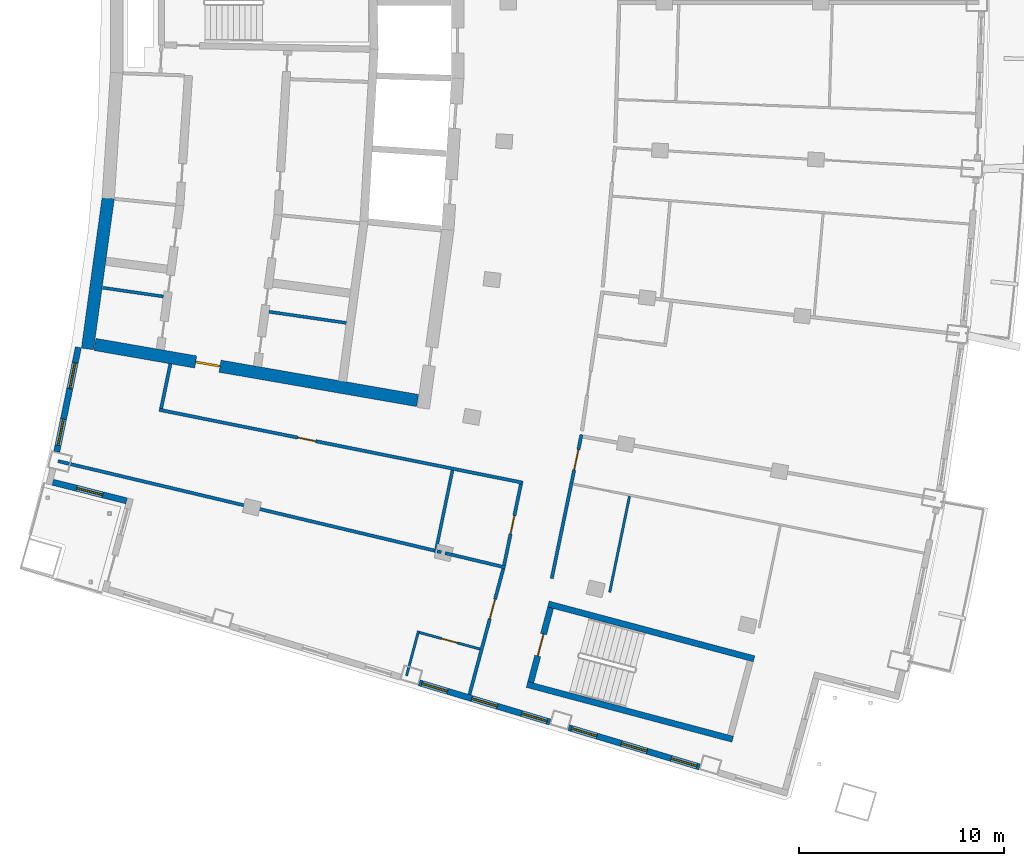
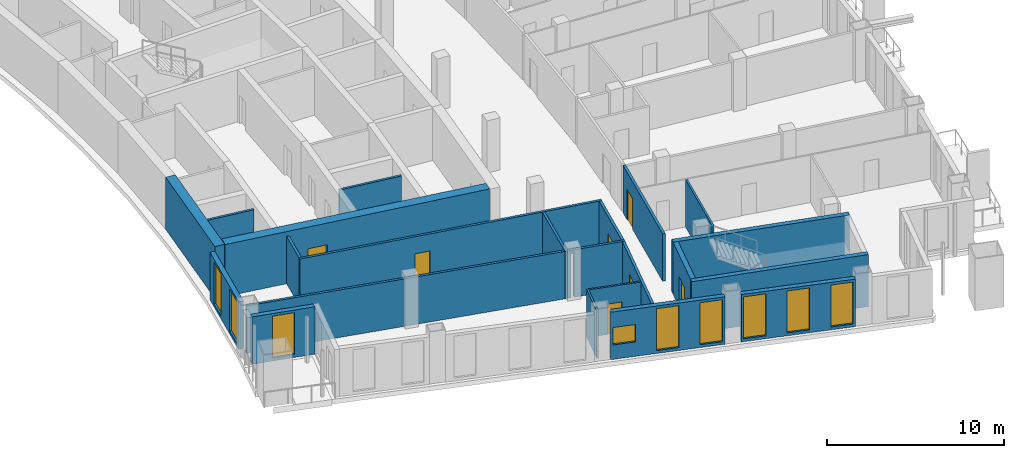
# One storey, part 9 of 19: 23 walls, 9 windows, 7 doors, 16 openings.
"""IFC4 building model written with IfcOpenShell, lengths in metres."""

from ifc_helpers import new_model, si_unit, direction, frame, frame_2d, origin, place, context, subcontext, project, spatial, rectangle, extrude, material, layer, layer_set, type_object, element, fill, save


model = new_model("IFC4")

# Units and contexts
model_context = context("Model", 3, precision=1e-05, world=origin(), true_north=direction((0.0, 1.0)))
body_context = subcontext(model_context, "Body", "Model", "MODEL_VIEW")
ifc_project = project(units=[si_unit("LENGTHUNIT", "METRE"), si_unit("AREAUNIT", "SQUARE_METRE"), si_unit("VOLUMEUNIT", "CUBIC_METRE"), si_unit("PLANEANGLEUNIT", "RADIAN"), si_unit("MASSUNIT", "GRAM", prefix="KILO")], contexts=[model_context])

# Site, building, storey
site_placement = place(None, origin())
site = spatial("IfcSite", under=ifc_project, at=site_placement, CompositionType="ELEMENT")
building_placement = place(site_placement, origin())
building = spatial("IfcBuilding", under=site, at=building_placement, Name="Alderwake Tower", CompositionType="ELEMENT")
storey_placement = place(building_placement, frame((0.0, 0.0, 192.800048828125)))
storey = spatial("IfcBuildingStorey", under=building, at=storey_placement, Name="L47", CompositionType="ELEMENT", Elevation=192.800048828125)

# Walls
ifc_material_1 = material(Name="Gypsum shaft wall system, rated")
ifc_layer_1 = layer(ifc_material_1, 0.14990234375)
ifc_layer_set_1 = layer_set([ifc_layer_1], Name="Core room partition 150")
wall_type_1 = type_object("IfcWallType", Name="Core room partition 150", PredefinedType="PARTITIONING", material=ifc_layer_set_1)
wall_1_placement = place(storey_placement, frame((16.064453125, 47.125, 0.0), z_axis=(0.0, 0.0, 1.0), x_axis=(0.989723849993, -0.142991960454, 0.0)))
element("IfcWall", 1, at=wall_1_placement, inside=storey, type_object=wall_type_1, Name="CW/L47/PR-150_+0", PredefinedType="PARTITIONING", context=body_context, shape_type="SweptSolid", body=[
    extrude(rectangle(XDim=2.98095703125, YDim=0.14990234375, at=frame_2d((1.490478515625, 0.0))), origin(), (0.0, 0.0, 1.0), 3.280029296875),
])
wall_2_placement = place(storey_placement, frame((24.158203125, 45.9560546875, 0.0), z_axis=(0.0, 0.0, 1.0), x_axis=(0.989724412664, -0.142988065858, 0.0)))
element("IfcWall", 2, at=wall_2_placement, inside=storey, type_object=wall_type_1, Name="CW/L47/PR-150_+86", PredefinedType="PARTITIONING", context=body_context, shape_type="SweptSolid", body=[
    extrude(rectangle(XDim=3.795654296875, YDim=0.14990234375, at=frame_2d((1.89794921875, 0.0))), origin(), (0.0, 0.0, 1.0), 3.280029296875),
])
ifc_material_2 = material(Name="Concrete C70/85", Category="concrete")
ifc_layer_2 = layer(ifc_material_2, 0.60009765625)
ifc_layer_set_2 = layer_set([ifc_layer_2], Name="Core wall outer 600 C70-85")
wall_type_2 = type_object("IfcWallType", Name="Core wall outer 600 C70-85", PredefinedType="SHEAR", material=ifc_layer_set_2)
wall_3_placement = place(storey_placement, frame((15.321533203125, 44.146240234375, 0.0), z_axis=(0.0, 0.0, 1.0), x_axis=(0.136316498814, 0.990665338119, 0.0)))
element("IfcWall", 3, at=wall_3_placement, inside=storey, type_object=wall_type_2, Name="Core wall CW.037", PredefinedType="SHEAR", context=body_context, shape_type="SweptSolid", body=[
    extrude(rectangle(XDim=7.41455078125, YDim=0.60009765625, at=frame_2d((3.707275390625, 0.0))), origin(), (0.0, 0.0, 1.0), 3.599853515625),
])

# Wall, opening, door
wall_4_placement = place(storey_placement, frame((31.386962890625, 41.63525390625, 0.0), z_axis=(0.0, 0.0, 1.0), x_axis=(-0.985223108003, 0.171275881127, 0.0)))
wall_4 = element("IfcWall", 4, at=wall_4_placement, inside=storey, type_object=wall_type_2, Name="Core wall CW.072", PredefinedType="SHEAR", context=body_context, shape_type="SweptSolid", body=[
    extrude(rectangle(XDim=15.937744140625, YDim=0.60009765625, at=frame_2d((7.96875, 0.0))), origin(), (0.0, 0.0, 1.0), 3.599853515625),
])
opening_1_placement = place(wall_4_placement, frame((9.757568359375, 0.0, 0.0)))
opening_1 = element("IfcOpeningElement", 5, at=opening_1_placement, cuts=wall_4, Name="Opening C003", PredefinedType="OPENING", context=body_context, shape_type="SweptSolid", body=[
    extrude(rectangle(XDim=1.199951171875, YDim=2.10009765625, at=frame_2d((0.60009765625, 1.050048828125))), frame((0.0, 0.31005859375, 0.0), z_axis=(0.0, -1.0, 0.0), x_axis=(1.0, 0.0, 0.0)), (0.0, 0.0, 1.0), 0.6201171875),
])
ifc_material_3 = material(Name="Steel-framed fire door leaf", Category="steel")
door_type_1 = type_object("IfcDoorType", Name="Core lobby exit door 1200 fire-rated", OperationType="SINGLE_SWING_LEFT", PredefinedType="DOOR", material=ifc_material_3)
door_1_placement = place(opening_1_placement, origin())
door_1 = element("IfcDoor", 6, at=door_1_placement, inside=storey, type_object=door_type_1, Name="Lobby door", OperationType="SINGLE_SWING_LEFT", OverallHeight=2.10009765625, OverallWidth=1.199951171875, PredefinedType="DOOR", context=body_context, shape_type="SweptSolid", body=[
    extrude(rectangle(XDim=1.199951171875, YDim=2.10009765625, at=frame_2d((0.60009765625, 1.050048828125))), frame((0.0, 0.050048828125, 0.0), z_axis=(0.0, -1.0, 0.0), x_axis=(1.0, 0.0, 0.0)), (0.0, 0.0, 1.0), 0.10009765625),
])
fill(opening_1, door_1)

# Walls
ifc_material_4 = material(Name="Concrete C70/85", Category="concrete")
ifc_layer_3 = layer(ifc_material_4, 0.300048828125)
ifc_layer_set_3 = layer_set([ifc_layer_3], Name="Core wall stair enclosure 300 C70-85")
wall_type_3 = type_object("IfcWallType", Name="Core wall stair enclosure 300 C70-85", PredefinedType="SHEAR", material=ifc_layer_set_3)
for number, where, z_axis, x_axis, name in (
    (7, (37.75390625, 31.731201171875, 0.0), (0.0, 0.0, 1.0), (0.966309214305, -0.257383958996, 0.0), "Core wall CW.086"),
    (8, (36.71142578125, 27.817626953125, 0.0), (0.0, 0.0, 1.0), (0.966309214305, -0.257383958996, 0.0), "Core wall CW.088"),
):
    element("IfcWall", number, at=place(storey_placement, frame(where, z_axis=z_axis, x_axis=x_axis)), inside=storey, type_object=wall_type_3, Name=name, PredefinedType="SHEAR", context=body_context, shape_type="SweptSolid", body=[
        extrude(rectangle(XDim=10.360107421875, YDim=0.300048828125, at=frame_2d((5.18017578125, 0.0))), origin(), (0.0, 0.0, 1.0), 3.599853515625),
    ])

# Wall, opening, door
wall_5_placement = place(storey_placement, frame((36.89501953125, 27.923828125, 0.0), z_axis=(0.0, 0.0, 1.0), x_axis=(0.257350630826, 0.966318090907, 0.0)))
wall_5 = element("IfcWall", 9, at=wall_5_placement, inside=storey, type_object=wall_type_3, Name="Core wall CW.087", PredefinedType="SHEAR", context=body_context, shape_type="SweptSolid", body=[
    extrude(rectangle(XDim=3.75, YDim=0.300048828125, at=frame_2d((1.875, 0.0))), origin(), (0.0, 0.0, 1.0), 3.599853515625),
])
opening_2_placement = place(wall_5_placement, frame((1.324951171875, 0.0, 0.0)))
opening_2 = element("IfcOpeningElement", 10, at=opening_2_placement, cuts=wall_5, Name="Opening C065", PredefinedType="OPENING", context=body_context, shape_type="SweptSolid", body=[
    extrude(rectangle(XDim=1.10009765625, YDim=2.10009765625, at=frame_2d((0.550048828125, 1.050048828125))), frame((0.0, 0.159912109375, 0.0), z_axis=(0.0, -1.0, 0.0), x_axis=(1.0, 0.0, 0.0)), (0.0, 0.0, 1.0), 0.320068359375),
])
ifc_material_5 = material(Name="Steel-framed fire door leaf", Category="steel")
door_type_2 = type_object("IfcDoorType", Name="Core stair door 1100 fire-rated", OperationType="SINGLE_SWING_LEFT", PredefinedType="DOOR", material=ifc_material_5)
door_2_placement = place(opening_2_placement, origin())
door_2 = element("IfcDoor", 11, at=door_2_placement, inside=storey, type_object=door_type_2, Name="Stair door", OperationType="SINGLE_SWING_RIGHT", OverallHeight=2.10009765625, OverallWidth=1.10009765625, PredefinedType="DOOR", context=body_context, shape_type="SweptSolid", body=[
    extrude(rectangle(XDim=1.10009765625, YDim=2.10009765625, at=frame_2d((0.550048828125, 1.050048828125))), frame((0.0, 0.02490234375, 0.0), z_axis=(0.0, -1.0, 0.0), x_axis=(1.0, 0.0, 0.0)), (0.0, 0.0, 1.0), 0.050048828125),
])
fill(opening_2, door_2)

# Wall
ifc_material_6 = material(Name="Gypsum board on metal studs, rated")
ifc_layer_4 = layer(ifc_material_6, 0.159912109375)
ifc_layer_set_4 = layer_set([ifc_layer_4], Name="Corridor wall 160")
wall_type_4 = type_object("IfcWallType", Name="Corridor wall 160", PredefinedType="PARTITIONING", material=ifc_layer_set_4)
wall_6_placement = place(storey_placement, frame((13.884033203125, 38.68798828125, 0.0), z_axis=(0.0, 0.0, 1.0), x_axis=(0.972897690171, -0.231235993004, 0.0)))
element("IfcWall", 12, at=wall_6_placement, inside=storey, type_object=wall_type_4, Name="WL/L47/W08", PredefinedType="PARTITIONING", context=body_context, shape_type="SweptSolid", body=[
    extrude(rectangle(XDim=18.8271484375, YDim=0.159912109375, at=frame_2d((9.41357421875, 0.0))), origin(), (0.0, 0.0, 1.0), 3.280029296875),
])

# Wall, opening, door
wall_7_placement = place(storey_placement, frame((36.513427734375, 37.63427734375, 0.0), z_axis=(0.0, 0.0, 1.0), x_axis=(-0.980470254867, 0.1966674333, 0.0)))
wall_7 = element("IfcWall", 13, at=wall_7_placement, inside=storey, type_object=wall_type_4, Name="WL/L47/W09", PredefinedType="PARTITIONING", context=body_context, shape_type="SweptSolid", body=[
    extrude(rectangle(XDim=18.053466796875, YDim=0.159912109375, at=frame_2d((9.02685546875, 0.0))), origin(), (0.0, 0.0, 1.0), 3.280029296875),
])
opening_3_placement = place(wall_7_placement, frame((10.277099609375, 0.0, 0.0)))
opening_3 = element("IfcOpeningElement", 14, at=opening_3_placement, cuts=wall_7, Name="Opening R13-SBS1", PredefinedType="OPENING", context=body_context, shape_type="SweptSolid", body=[
    extrude(rectangle(XDim=0.89990234375, YDim=2.10009765625, at=frame_2d((0.449951171875, 1.050048828125))), frame((0.0, 0.08984375, 0.0), z_axis=(0.0, -1.0, 0.0), x_axis=(1.0, 0.0, 0.0)), (0.0, 0.0, 1.0), 0.179931640625),
])
ifc_material_7 = material(Name="Painted timber leaf", Category="wood")
door_type_3 = type_object("IfcDoorType", Name="Room door 900", OperationType="SINGLE_SWING_LEFT", PredefinedType="DOOR", material=ifc_material_7)
door_3_placement = place(opening_3_placement, origin())
door_3 = element("IfcDoor", 15, at=door_3_placement, inside=storey, type_object=door_type_3, Name="DR/L47/SBS1", OperationType="SINGLE_SWING_LEFT", OverallHeight=2.10009765625, OverallWidth=0.89990234375, PredefinedType="DOOR", context=body_context, shape_type="SweptSolid", body=[
    extrude(rectangle(XDim=0.89990234375, YDim=2.10009765625, at=frame_2d((0.449951171875, 1.050048828125))), frame((0.0, 0.02490234375, 0.0), z_axis=(0.0, -1.0, 0.0), x_axis=(1.0, 0.0, 0.0)), (0.0, 0.0, 1.0), 0.050048828125),
])
fill(opening_3, door_3)

# Walls
wall_8_placement = place(storey_placement, frame((19.35888671875, 43.430908203125, 0.0), z_axis=(0.0, 0.0, 1.0), x_axis=(-0.202554916658, -0.979270905183, 0.0)))
element("IfcWall", 16, at=wall_8_placement, inside=storey, type_object=wall_type_4, Name="WL/L47/W10", PredefinedType="PARTITIONING", context=body_context, shape_type="SweptSolid", body=[
    extrude(rectangle(XDim=2.229736328125, YDim=0.159912109375, at=frame_2d((1.11474609375, 0.0))), origin(), (0.0, 0.0, 1.0), 3.280029296875),
])
wall_9_placement = place(storey_placement, frame((32.343994140625, 34.300048828125, 0.0), z_axis=(0.0, 0.0, 1.0), x_axis=(0.974391195695, -0.224859506699, 0.0)))
element("IfcWall", 17, at=wall_9_placement, inside=storey, type_object=wall_type_4, Name="WL/L47/W12", PredefinedType="PARTITIONING", context=body_context, shape_type="SweptSolid", body=[
    extrude(rectangle(XDim=0.205322265625, YDim=0.159912109375, at=frame_2d((0.1025390625, 0.0))), origin(), (0.0, 0.0, 1.0), 3.280029296875),
])
wall_10_placement = place(storey_placement, frame((32.725341796875, 34.210205078125, 0.0), z_axis=(0.0, 0.0, 1.0), x_axis=(0.972838360224, -0.231485474442, 0.0)))
element("IfcWall", 18, at=wall_10_placement, inside=storey, type_object=wall_type_4, Name="WL/L47/W13", PredefinedType="PARTITIONING", context=body_context, shape_type="SweptSolid", body=[
    extrude(rectangle(XDim=3.01416015625, YDim=0.159912109375, at=frame_2d((1.507080078125, 0.0))), origin(), (0.0, 0.0, 1.0), 3.280029296875),
])

# Wall, opening, door
wall_11_placement = place(storey_placement, frame((33.912109375, 27.321044921875, 0.0), z_axis=(0.0, 0.0, 1.0), x_axis=(0.259370874835, 0.965777794986, 0.0)))
wall_11 = element("IfcWall", 19, at=wall_11_placement, inside=storey, type_object=wall_type_4, Name="WL/L47/W15", PredefinedType="PARTITIONING", context=body_context, shape_type="SweptSolid", body=[
    extrude(rectangle(XDim=6.349853515625, YDim=0.159912109375, at=frame_2d((3.1748046875, 0.0))), origin(), (0.0, 0.0, 1.0), 3.280029296875),
])
opening_4_placement = place(wall_11_placement, frame((3.811279296875, 0.0, 0.0)))
opening_4 = element("IfcOpeningElement", 20, at=opening_4_placement, cuts=wall_11, Name="Opening R13-U08.1", PredefinedType="OPENING", context=body_context, shape_type="SweptSolid", body=[
    extrude(rectangle(XDim=1.0, YDim=2.10009765625, at=frame_2d((0.5, 1.050048828125))), frame((0.0, 0.08984375, 0.0), z_axis=(0.0, -1.0, 0.0), x_axis=(1.0, 0.0, 0.0)), (0.0, 0.0, 1.0), 0.179931640625),
])
ifc_material_8 = material(Name="Solid timber leaf in steel frame", Category="steel")
door_type_4 = type_object("IfcDoorType", Name="Flat entrance door 1000 fire-rated", OperationType="SINGLE_SWING_LEFT", PredefinedType="DOOR", material=ifc_material_8)
door_4_placement = place(opening_4_placement, origin())
door_4 = element("IfcDoor", 21, at=door_4_placement, inside=storey, type_object=door_type_4, Name="DR/L47/U08.1", OperationType="SINGLE_SWING_LEFT", OverallHeight=2.10009765625, OverallWidth=1.0, PredefinedType="DOOR", context=body_context, shape_type="SweptSolid", body=[
    extrude(rectangle(XDim=1.0, YDim=2.10009765625, at=frame_2d((0.5, 1.050048828125))), frame((0.0, 0.02490234375, 0.0), z_axis=(0.0, -1.0, 0.0), x_axis=(1.0, 0.0, 0.0)), (0.0, 0.0, 1.0), 0.050048828125),
])
fill(opening_4, door_4)

wall_12_placement = place(storey_placement, frame((35.59619140625, 33.609375, 0.0), z_axis=(0.0, 0.0, 1.0), x_axis=(0.203245920818, 0.979127721838, 0.0)))
wall_12 = element("IfcWall", 22, at=wall_12_placement, inside=storey, type_object=wall_type_4, Name="WL/L47/W18", PredefinedType="PARTITIONING", context=body_context, shape_type="SweptSolid", body=[
    extrude(rectangle(XDim=4.046875, YDim=0.159912109375, at=frame_2d((2.0234375, 0.0))), origin(), (0.0, 0.0, 1.0), 3.280029296875),
])
opening_5_placement = place(wall_12_placement, frame((1.573486328125, 0.0, 0.0)))
opening_5 = element("IfcOpeningElement", 23, at=opening_5_placement, cuts=wall_12, Name="Opening R13-SBS2", PredefinedType="OPENING", context=body_context, shape_type="SweptSolid", body=[
    extrude(rectangle(XDim=0.89990234375, YDim=2.10009765625, at=frame_2d((0.449951171875, 1.050048828125))), frame((0.0, 0.08984375, 0.0), z_axis=(0.0, -1.0, 0.0), x_axis=(1.0, 0.0, 0.0)), (0.0, 0.0, 1.0), 0.179931640625),
])
door_5_placement = place(opening_5_placement, origin())
door_5 = element("IfcDoor", 24, at=door_5_placement, inside=storey, type_object=door_type_3, Name="DR/L47/SBS2", OperationType="SINGLE_SWING_LEFT", OverallHeight=2.10009765625, OverallWidth=0.89990234375, PredefinedType="DOOR", context=body_context, shape_type="SweptSolid", body=[
    extrude(rectangle(XDim=0.89990234375, YDim=2.10009765625, at=frame_2d((0.449951171875, 1.050048828125))), frame((0.0, 0.02490234375, 0.0), z_axis=(0.0, -1.0, 0.0), x_axis=(1.0, 0.0, 0.0)), (0.0, 0.0, 1.0), 0.050048828125),
])
fill(opening_5, door_5)

wall_13_placement = place(storey_placement, frame((39.3642578125, 39.975341796875, 0.0), z_axis=(0.0, 0.0, 1.0), x_axis=(-0.202490391407, -0.979284249535, 0.0)))
wall_13 = element("IfcWall", 25, at=wall_13_placement, inside=storey, type_object=wall_type_4, Name="WL/L47/W20", PredefinedType="PARTITIONING", context=body_context, shape_type="SweptSolid", body=[
    extrude(rectangle(XDim=7.147216796875, YDim=0.159912109375, at=frame_2d((3.57373046875, 0.0))), origin(), (0.0, 0.0, 1.0), 3.280029296875),
])
opening_6_placement = place(wall_13_placement, frame((0.7568359375, 0.0, 0.0)))
opening_6 = element("IfcOpeningElement", 26, at=opening_6_placement, cuts=wall_13, Name="Opening R13-U03.2", PredefinedType="OPENING", context=body_context, shape_type="SweptSolid", body=[
    extrude(rectangle(XDim=1.0, YDim=2.10009765625, at=frame_2d((0.5, 1.050048828125))), frame((0.0, 0.08984375, 0.0), z_axis=(0.0, -1.0, 0.0), x_axis=(1.0, 0.0, 0.0)), (0.0, 0.0, 1.0), 0.179931640625),
])
door_6_placement = place(opening_6_placement, origin())
door_6 = element("IfcDoor", 27, at=door_6_placement, inside=storey, type_object=door_type_4, Name="DR/L47/U03.2", OperationType="SINGLE_SWING_LEFT", OverallHeight=2.10009765625, OverallWidth=1.0, PredefinedType="DOOR", context=body_context, shape_type="SweptSolid", body=[
    extrude(rectangle(XDim=1.0, YDim=2.10009765625, at=frame_2d((0.5, 1.050048828125))), frame((0.0, 0.02490234375, 0.0), z_axis=(0.0, -1.0, 0.0), x_axis=(1.0, 0.0, 0.0)), (0.0, 0.0, 1.0), 0.050048828125),
])
fill(opening_6, door_6)

# Wall, openings, windows
ifc_material_9 = material(Name="Precast concrete C50/60 spandrel panel", Category="concrete")
ifc_layer_5 = layer(ifc_material_9, 0.300048828125)
ifc_layer_set_5 = layer_set([ifc_layer_5], Name="External wall EW1 Precast concrete C50/60 spandrel")
wall_type_5 = type_object("IfcWallType", Name="External wall EW1 Precast concrete C50/60 spandrel", PredefinedType="SOLIDWALL", material=ifc_layer_set_5)
wall_14_placement = place(storey_placement, frame((14.878173828125, 44.223388671875, 0.0), z_axis=(0.0, 0.0, 1.0), x_axis=(-0.202730149235, -0.979234643276, 0.0)))
wall_14 = element("IfcWall", 28, at=wall_14_placement, inside=storey, type_object=wall_type_5, Name="External wall 32", PredefinedType="SOLIDWALL", context=body_context, shape_type="SweptSolid", body=[
    extrude(rectangle(XDim=5.185546875, YDim=0.300048828125, at=frame_2d((2.5927734375, 0.0))), origin(), (0.0, 0.0, 1.0), 3.280029296875),
])
opening_7_placement = place(wall_14_placement, frame((0.75634765625, 0.0, 0.199951171875)))
opening_7 = element("IfcOpeningElement", 29, at=opening_7_placement, cuts=wall_14, Name="Opening W1", PredefinedType="OPENING", context=body_context, shape_type="SweptSolid", body=[
    extrude(rectangle(XDim=1.300048828125, YDim=2.89990234375, at=frame_2d((0.64990234375, 1.449951171875))), frame((0.0, 0.159912109375, 0.0), z_axis=(0.0, -1.0, 0.0), x_axis=(1.0, 0.0, 0.0)), (0.0, 0.0, 1.0), 0.320068359375),
])
opening_8_placement = place(wall_14_placement, frame((3.569091796875, 0.0, 0.199951171875)))
opening_8 = element("IfcOpeningElement", 30, at=opening_8_placement, cuts=wall_14, Name="Opening W1", PredefinedType="OPENING", context=body_context, shape_type="SweptSolid", body=[
    extrude(rectangle(XDim=1.300048828125, YDim=2.89990234375, at=frame_2d((0.64990234375, 1.449951171875))), frame((0.0, 0.159912109375, 0.0), z_axis=(0.0, -1.0, 0.0), x_axis=(1.0, 0.0, 0.0)), (0.0, 0.0, 1.0), 0.320068359375),
])
ifc_material_10 = material(Name="Bronze tinted glass in aluminium frame", Category="aluminium")
window_type_1 = type_object("IfcWindowType", Name="Window W1 tall fixed and vent", PartitioningType="DOUBLE_PANEL_VERTICAL", PredefinedType="WINDOW", material=ifc_material_10)
window_1_placement = place(opening_7_placement, origin())
window_1 = element("IfcWindow", 31, at=window_1_placement, inside=storey, type_object=window_type_1, Name="Window W1 tall fixed and vent", OverallHeight=2.89990234375, OverallWidth=1.300048828125, PartitioningType="DOUBLE_PANEL_VERTICAL", PredefinedType="WINDOW", context=body_context, shape_type="SweptSolid", body=[
    extrude(rectangle(XDim=1.300048828125, YDim=2.89990234375, at=frame_2d((0.64990234375, 1.449951171875))), frame((0.0, 0.030029296875, 0.0), z_axis=(0.0, -1.0, 0.0), x_axis=(1.0, 0.0, 0.0)), (0.0, 0.0, 1.0), 0.06005859375),
])
fill(opening_7, window_1)
window_2_placement = place(opening_8_placement, origin())
window_2 = element("IfcWindow", 32, at=window_2_placement, inside=storey, type_object=window_type_1, Name="Window W1 tall fixed and vent", OverallHeight=2.89990234375, OverallWidth=1.300048828125, PartitioningType="DOUBLE_PANEL_VERTICAL", PredefinedType="WINDOW", context=body_context, shape_type="SweptSolid", body=[
    extrude(rectangle(XDim=1.300048828125, YDim=2.89990234375, at=frame_2d((0.64990234375, 1.449951171875))), frame((0.0, 0.030029296875, 0.0), z_axis=(0.0, -1.0, 0.0), x_axis=(1.0, 0.0, 0.0)), (0.0, 0.0, 1.0), 0.06005859375),
])
fill(opening_8, window_2)

# Wall, opening, window
ifc_material_11 = material(Name="Bronze metal cladding on lightweight framing")
ifc_layer_6 = layer(ifc_material_11, 0.300048828125)
ifc_layer_set_6 = layer_set([ifc_layer_6], Name="External wall EW2 bronze metal cladding")
wall_type_6 = type_object("IfcWallType", Name="External wall EW2 bronze metal cladding", PredefinedType="SOLIDWALL", material=ifc_layer_set_6)
wall_15_placement = place(storey_placement, frame((13.633056640625, 37.660400390625, 0.0), z_axis=(0.0, 0.0, 1.0), x_axis=(0.969417366605, -0.245417948254, 0.0)))
wall_15 = element("IfcWall", 33, at=wall_15_placement, inside=storey, type_object=wall_type_6, Name="External wall 2", PredefinedType="SOLIDWALL", context=body_context, shape_type="SweptSolid", body=[
    extrude(rectangle(XDim=3.70556640625, YDim=0.300048828125, at=frame_2d((1.852783203125, 0.0))), origin(), (0.0, 0.0, 1.0), 3.280029296875),
])
opening_9_placement = place(wall_15_placement, frame((1.202880859375, 0.0, 0.199951171875)))
opening_9 = element("IfcOpeningElement", 34, at=opening_9_placement, cuts=wall_15, Name="Opening W1", PredefinedType="OPENING", context=body_context, shape_type="SweptSolid", body=[
    extrude(rectangle(XDim=1.300048828125, YDim=2.89990234375, at=frame_2d((0.64990234375, 1.449951171875))), frame((0.0, 0.159912109375, 0.0), z_axis=(0.0, -1.0, 0.0), x_axis=(1.0, 0.0, 0.0)), (0.0, 0.0, 1.0), 0.320068359375),
])
window_3_placement = place(opening_9_placement, origin())
window_3 = element("IfcWindow", 35, at=window_3_placement, inside=storey, type_object=window_type_1, Name="Window W1 tall fixed and vent", OverallHeight=2.89990234375, OverallWidth=1.300048828125, PartitioningType="DOUBLE_PANEL_VERTICAL", PredefinedType="WINDOW", context=body_context, shape_type="SweptSolid", body=[
    extrude(rectangle(XDim=1.300048828125, YDim=2.89990234375, at=frame_2d((0.64990234375, 1.449951171875))), frame((0.0, 0.030029296875, 0.0), z_axis=(0.0, -1.0, 0.0), x_axis=(1.0, 0.0, 0.0)), (0.0, 0.0, 1.0), 0.06005859375),
])
fill(opening_9, window_3)

# Wall, openings, windows
wall_16_placement = place(storey_placement, frame((31.465087890625, 27.900390625, 0.0), z_axis=(0.0, 0.0, 1.0), x_axis=(0.957767627806, -0.287543337825, 0.0)))
wall_16 = element("IfcWall", 36, at=wall_16_placement, inside=storey, type_object=wall_type_6, Name="External wall 6", PredefinedType="SOLIDWALL", context=body_context, shape_type="SweptSolid", body=[
    extrude(rectangle(XDim=6.646484375, YDim=0.300048828125, at=frame_2d((3.3232421875, 0.0))), origin(), (0.0, 0.0, 1.0), 3.280029296875),
])
opening_10_placement = place(wall_16_placement, frame((0.139892578125, 0.0, 1.0)))
opening_10 = element("IfcOpeningElement", 37, at=opening_10_placement, cuts=wall_16, Name="Opening W2", PredefinedType="OPENING", context=body_context, shape_type="SweptSolid", body=[
    extrude(rectangle(XDim=1.300048828125, YDim=1.199951171875, at=frame_2d((0.64990234375, 0.60009765625))), frame((0.0, 0.159912109375, 0.0), z_axis=(0.0, -1.0, 0.0), x_axis=(1.0, 0.0, 0.0)), (0.0, 0.0, 1.0), 0.320068359375),
])
opening_11_placement = place(wall_16_placement, frame((2.673095703125, 0.0, 0.199951171875)))
opening_11 = element("IfcOpeningElement", 38, at=opening_11_placement, cuts=wall_16, Name="Opening W1", PredefinedType="OPENING", context=body_context, shape_type="SweptSolid", body=[
    extrude(rectangle(XDim=1.300048828125, YDim=2.89990234375, at=frame_2d((0.64990234375, 1.449951171875))), frame((0.0, 0.159912109375, 0.0), z_axis=(0.0, -1.0, 0.0), x_axis=(1.0, 0.0, 0.0)), (0.0, 0.0, 1.0), 0.320068359375),
])
opening_12_placement = place(wall_16_placement, frame((5.20654296875, 0.0, 0.199951171875)))
opening_12 = element("IfcOpeningElement", 39, at=opening_12_placement, cuts=wall_16, Name="Opening W1", PredefinedType="OPENING", context=body_context, shape_type="SweptSolid", body=[
    extrude(rectangle(XDim=1.300048828125, YDim=2.89990234375, at=frame_2d((0.64990234375, 1.449951171875))), frame((0.0, 0.159912109375, 0.0), z_axis=(0.0, -1.0, 0.0), x_axis=(1.0, 0.0, 0.0)), (0.0, 0.0, 1.0), 0.320068359375),
])
window_4_placement = place(opening_11_placement, origin())
window_4 = element("IfcWindow", 40, at=window_4_placement, inside=storey, type_object=window_type_1, Name="Window W1 tall fixed and vent", OverallHeight=2.89990234375, OverallWidth=1.300048828125, PartitioningType="DOUBLE_PANEL_VERTICAL", PredefinedType="WINDOW", context=body_context, shape_type="SweptSolid", body=[
    extrude(rectangle(XDim=1.300048828125, YDim=2.89990234375, at=frame_2d((0.64990234375, 1.449951171875))), frame((0.0, 0.030029296875, 0.0), z_axis=(0.0, -1.0, 0.0), x_axis=(1.0, 0.0, 0.0)), (0.0, 0.0, 1.0), 0.06005859375),
])
fill(opening_11, window_4)
window_5_placement = place(opening_12_placement, origin())
window_5 = element("IfcWindow", 41, at=window_5_placement, inside=storey, type_object=window_type_1, Name="Window W1 tall fixed and vent", OverallHeight=2.89990234375, OverallWidth=1.300048828125, PartitioningType="DOUBLE_PANEL_VERTICAL", PredefinedType="WINDOW", context=body_context, shape_type="SweptSolid", body=[
    extrude(rectangle(XDim=1.300048828125, YDim=2.89990234375, at=frame_2d((0.64990234375, 1.449951171875))), frame((0.0, 0.030029296875, 0.0), z_axis=(0.0, -1.0, 0.0), x_axis=(1.0, 0.0, 0.0)), (0.0, 0.0, 1.0), 0.06005859375),
])
fill(opening_12, window_5)
ifc_material_12 = material(Name="Bronze tinted glass in aluminium frame", Category="aluminium")
window_type_2 = type_object("IfcWindowType", Name="Window W2 kitchen and bath", PartitioningType="SINGLE_PANEL", PredefinedType="WINDOW", material=ifc_material_12)
window_6_placement = place(opening_10_placement, origin())
window_6 = element("IfcWindow", 42, at=window_6_placement, inside=storey, type_object=window_type_2, Name="Window W2 kitchen and bath", OverallHeight=1.199951171875, OverallWidth=1.300048828125, PartitioningType="SINGLE_PANEL", PredefinedType="WINDOW", context=body_context, shape_type="SweptSolid", body=[
    extrude(rectangle(XDim=1.300048828125, YDim=1.199951171875, at=frame_2d((0.64990234375, 0.60009765625))), frame((0.0, 0.030029296875, 0.0), z_axis=(0.0, -1.0, 0.0), x_axis=(1.0, 0.0, 0.0)), (0.0, 0.0, 1.0), 0.06005859375),
])
fill(opening_10, window_6)

wall_17_placement = place(storey_placement, frame((38.744384765625, 25.715087890625, 0.0), z_axis=(0.0, 0.0, 1.0), x_axis=(0.957757511153, -0.287577032861, 0.0)))
wall_17 = element("IfcWall", 43, at=wall_17_placement, inside=storey, type_object=wall_type_6, Name="External wall 7", PredefinedType="SOLIDWALL", context=body_context, shape_type="SweptSolid", body=[
    extrude(rectangle(XDim=6.646484375, YDim=0.300048828125, at=frame_2d((3.3232421875, 0.0))), origin(), (0.0, 0.0, 1.0), 3.280029296875),
])
opening_13_placement = place(wall_17_placement, frame((0.139892578125, 0.0, 0.199951171875)))
opening_13 = element("IfcOpeningElement", 44, at=opening_13_placement, cuts=wall_17, Name="Opening W1", PredefinedType="OPENING", context=body_context, shape_type="SweptSolid", body=[
    extrude(rectangle(XDim=1.300048828125, YDim=2.89990234375, at=frame_2d((0.64990234375, 1.449951171875))), frame((0.0, 0.159912109375, 0.0), z_axis=(0.0, -1.0, 0.0), x_axis=(1.0, 0.0, 0.0)), (0.0, 0.0, 1.0), 0.320068359375),
])
opening_14_placement = place(wall_17_placement, frame((2.673095703125, 0.0, 0.199951171875)))
opening_14 = element("IfcOpeningElement", 45, at=opening_14_placement, cuts=wall_17, Name="Opening W1", PredefinedType="OPENING", context=body_context, shape_type="SweptSolid", body=[
    extrude(rectangle(XDim=1.300048828125, YDim=2.89990234375, at=frame_2d((0.64990234375, 1.449951171875))), frame((0.0, 0.159912109375, 0.0), z_axis=(0.0, -1.0, 0.0), x_axis=(1.0, 0.0, 0.0)), (0.0, 0.0, 1.0), 0.320068359375),
])
opening_15_placement = place(wall_17_placement, frame((5.20654296875, 0.0, 0.199951171875)))
opening_15 = element("IfcOpeningElement", 46, at=opening_15_placement, cuts=wall_17, Name="Opening W1", PredefinedType="OPENING", context=body_context, shape_type="SweptSolid", body=[
    extrude(rectangle(XDim=1.300048828125, YDim=2.89990234375, at=frame_2d((0.64990234375, 1.449951171875))), frame((0.0, 0.159912109375, 0.0), z_axis=(0.0, -1.0, 0.0), x_axis=(1.0, 0.0, 0.0)), (0.0, 0.0, 1.0), 0.320068359375),
])
window_7_placement = place(opening_13_placement, origin())
window_7 = element("IfcWindow", 47, at=window_7_placement, inside=storey, type_object=window_type_1, Name="Window W1 tall fixed and vent", OverallHeight=2.89990234375, OverallWidth=1.300048828125, PartitioningType="DOUBLE_PANEL_VERTICAL", PredefinedType="WINDOW", context=body_context, shape_type="SweptSolid", body=[
    extrude(rectangle(XDim=1.300048828125, YDim=2.89990234375, at=frame_2d((0.64990234375, 1.449951171875))), frame((0.0, 0.030029296875, 0.0), z_axis=(0.0, -1.0, 0.0), x_axis=(1.0, 0.0, 0.0)), (0.0, 0.0, 1.0), 0.06005859375),
])
fill(opening_13, window_7)
window_8_placement = place(opening_14_placement, origin())
window_8 = element("IfcWindow", 48, at=window_8_placement, inside=storey, type_object=window_type_1, Name="Window W1 tall fixed and vent", OverallHeight=2.89990234375, OverallWidth=1.300048828125, PartitioningType="DOUBLE_PANEL_VERTICAL", PredefinedType="WINDOW", context=body_context, shape_type="SweptSolid", body=[
    extrude(rectangle(XDim=1.300048828125, YDim=2.89990234375, at=frame_2d((0.64990234375, 1.449951171875))), frame((0.0, 0.030029296875, 0.0), z_axis=(0.0, -1.0, 0.0), x_axis=(1.0, 0.0, 0.0)), (0.0, 0.0, 1.0), 0.06005859375),
])
fill(opening_14, window_8)
window_9_placement = place(opening_15_placement, origin())
window_9 = element("IfcWindow", 49, at=window_9_placement, inside=storey, type_object=window_type_1, Name="Window W1 tall fixed and vent", OverallHeight=2.89990234375, OverallWidth=1.300048828125, PartitioningType="DOUBLE_PANEL_VERTICAL", PredefinedType="WINDOW", context=body_context, shape_type="SweptSolid", body=[
    extrude(rectangle(XDim=1.300048828125, YDim=2.89990234375, at=frame_2d((0.64990234375, 1.449951171875))), frame((0.0, 0.030029296875, 0.0), z_axis=(0.0, -1.0, 0.0), x_axis=(1.0, 0.0, 0.0)), (0.0, 0.0, 1.0), 0.06005859375),
])
fill(opening_15, window_9)

# Walls
ifc_material_13 = material(Name="Gypsum shaft wall system, rated")
ifc_layer_7 = layer(ifc_material_13, 0.14990234375)
ifc_layer_set_7 = layer_set([ifc_layer_7], Name="Riser and shaft wall 150")
wall_type_7 = type_object("IfcWallType", Name="Riser and shaft wall 150", PredefinedType="PARTITIONING", material=ifc_layer_set_7)
wall_18_placement = place(storey_placement, frame((32.2578125, 34.23876953125, 0.0), z_axis=(0.0, 0.0, 1.0), x_axis=(0.202579923059, 0.979265732462, 0.0)))
element("IfcWall", 50, at=wall_18_placement, inside=storey, type_object=wall_type_7, Name="WL/L47/W04", PredefinedType="PARTITIONING", context=body_context, shape_type="SweptSolid", body=[
    extrude(rectangle(XDim=4.086669921875, YDim=0.14990234375, at=frame_2d((2.04345703125, 0.0))), origin(), (0.0, 0.0, 1.0), 3.280029296875),
])
ifc_material_14 = material(Name="Moisture resistant gypsum board on metal studs")
ifc_layer_8 = layer(ifc_material_14, 0.1201171875)
ifc_layer_set_8 = layer_set([ifc_layer_8], Name="Wet room partition 120")
wall_type_8 = type_object("IfcWallType", Name="Wet room partition 120", PredefinedType="PARTITIONING", material=ifc_layer_set_8)
wall_19_placement = place(storey_placement, frame((31.4345703125, 30.4208984375, 0.0), z_axis=(0.0, 0.0, 1.0), x_axis=(-0.259480612243, -0.965748317042, 0.0)))
element("IfcWall", 51, at=wall_19_placement, inside=storey, type_object=wall_type_8, Name="WL/L47/W31", PredefinedType="PARTITIONING", context=body_context, shape_type="SweptSolid", body=[
    extrude(rectangle(XDim=2.25634765625, YDim=0.1201171875, at=frame_2d((1.128173828125, 0.0))), origin(), (0.0, 0.0, 1.0), 3.280029296875),
])

# Wall, opening, door
wall_20_placement = place(storey_placement, frame((34.42578125, 29.5380859375, 0.0), z_axis=(0.0, 0.0, 1.0), x_axis=(-0.964362903476, 0.264583050097, 0.0)))
wall_20 = element("IfcWall", 52, at=wall_20_placement, inside=storey, type_object=wall_type_8, Name="WL/L47/W33", PredefinedType="PARTITIONING", context=body_context, shape_type="SweptSolid", body=[
    extrude(rectangle(XDim=3.057861328125, YDim=0.1201171875, at=frame_2d((1.52880859375, 0.0))), origin(), (0.0, 0.0, 1.0), 3.280029296875),
])
opening_16_placement = place(wall_20_placement, frame((1.12890625, 0.0, 0.0)))
opening_16 = element("IfcOpeningElement", 53, at=opening_16_placement, cuts=wall_20, Name="Opening R13-U08.2", PredefinedType="OPENING", context=body_context, shape_type="SweptSolid", body=[
    extrude(rectangle(XDim=0.800048828125, YDim=2.10009765625, at=frame_2d((0.39990234375, 1.050048828125))), frame((0.0, 0.070068359375, 0.0), z_axis=(0.0, -1.0, 0.0), x_axis=(1.0, 0.0, 0.0)), (0.0, 0.0, 1.0), 0.14013671875),
])
ifc_material_15 = material(Name="Painted timber leaf", Category="wood")
door_type_5 = type_object("IfcDoorType", Name="Bathroom door 800", OperationType="SINGLE_SWING_LEFT", PredefinedType="DOOR", material=ifc_material_15)
door_7_placement = place(opening_16_placement, origin())
door_7 = element("IfcDoor", 54, at=door_7_placement, inside=storey, type_object=door_type_5, Name="DR/L47/U08.2", OperationType="SINGLE_SWING_LEFT", OverallHeight=2.10009765625, OverallWidth=0.800048828125, PredefinedType="DOOR", context=body_context, shape_type="SweptSolid", body=[
    extrude(rectangle(XDim=0.800048828125, YDim=2.10009765625, at=frame_2d((0.39990234375, 1.050048828125))), frame((0.0, 0.02490234375, 0.0), z_axis=(0.0, -1.0, 0.0), x_axis=(1.0, 0.0, 0.0)), (0.0, 0.0, 1.0), 0.050048828125),
])
fill(opening_16, door_7)

# Wall
wall_21_placement = place(storey_placement, frame((40.737060546875, 32.303955078125, 0.0), z_axis=(0.0, 0.0, 1.0), x_axis=(0.202548156077, 0.979272303535, 0.0)))
element("IfcWall", 55, at=wall_21_placement, inside=storey, type_object=wall_type_8, Name="WL/L47/W34", PredefinedType="PARTITIONING", context=body_context, shape_type="SweptSolid", body=[
    extrude(rectangle(XDim=4.778076171875, YDim=0.1201171875, at=frame_2d((2.38916015625, 0.0))), origin(), (0.0, 0.0, 1.0), 3.280029296875),
])

save(model, "model.ifc")
